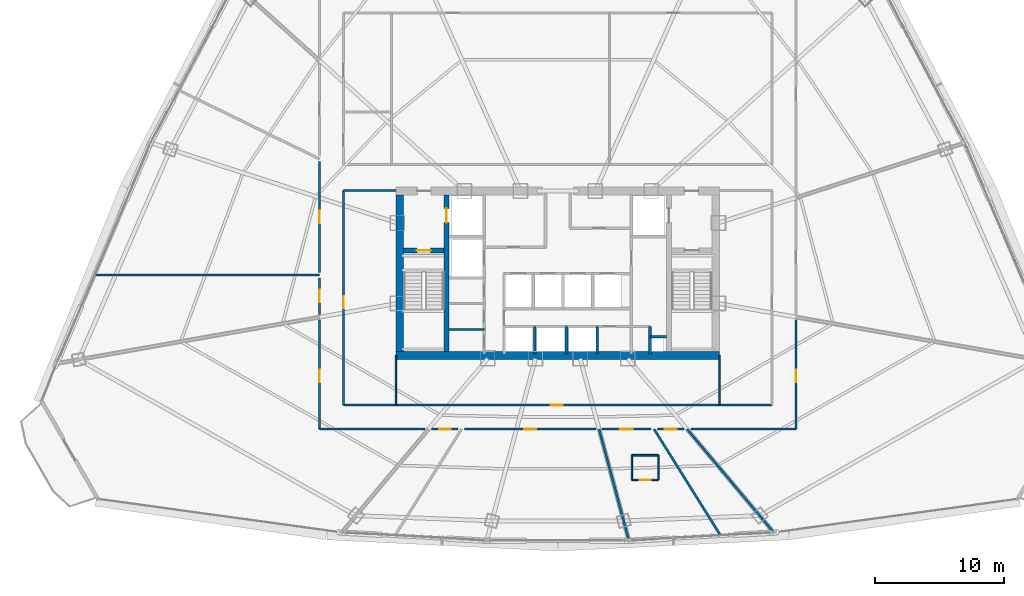
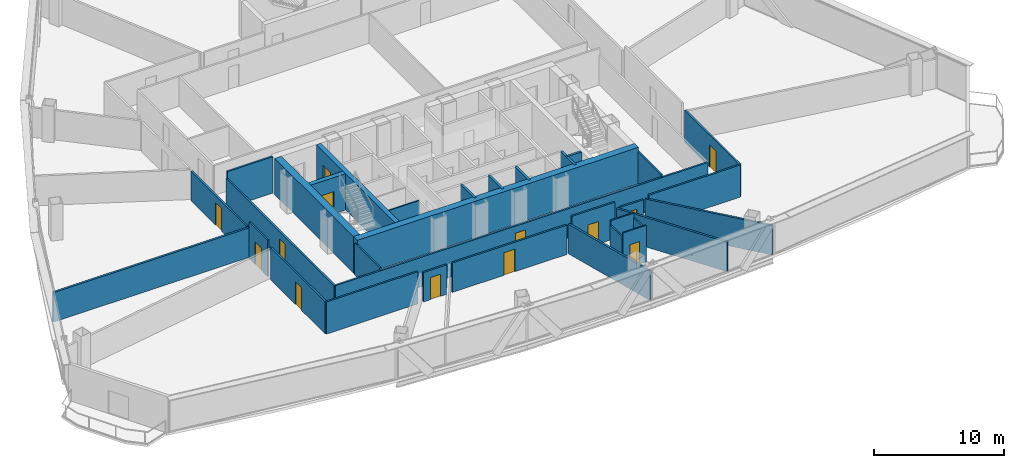
# One storey, part 32 of 39: 33 walls, 13 doors, 13 openings.
"""IFC4 building model written with IfcOpenShell, lengths in metres."""

import ifcopenshell
import ifcopenshell.guid

model = None  # the IFC model being written
_history = None  # IfcOwnerHistory: only IFC2X3 demands one
_inside = {}  # id of a spatial element -> (the spatial element, [elements in it])
_under = {}  # id of a project, library or spatial element -> (it, [spatial elements below it])
_declared = {}  # id of a project -> (the project, [libraries it declares])
_typed = {}  # id of a type object -> (the type object, [elements of that type])
_made_of = {}  # id of a material, layer set ... -> (it, [elements and type objects made of it])


def new_model(schema):
    """Start an empty IFC model of exactly this schema.

    Asked for "IFC4X3", IfcOpenShell would pick the latest addendum, in which some entities
    have other attributes; the version numbers below select the first issue.
    IFC2X3 requires an IfcOwnerHistory on every rooted entity: one is made here for all.
    """
    global model, _history
    if schema == "IFC4X3":
        model = ifcopenshell.file(schema_version=(4, 3, 0, 0))
    else:
        model = ifcopenshell.file(schema=schema)
    _inside.clear()
    _under.clear()
    _declared.clear()
    _typed.clear()
    _made_of.clear()
    _history = None
    if model.schema == "IFC2X3":
        org = make("IfcOrganization", Name="unknown")
        user = make(
            "IfcPersonAndOrganization",
            ThePerson=make("IfcPerson", FamilyName="unknown"),
            TheOrganization=org,
        )
        app = make(
            "IfcApplication",
            ApplicationDeveloper=org,
            Version="unknown",
            ApplicationFullName="unknown",
            ApplicationIdentifier="unknown",
        )
        _history = make(
            "IfcOwnerHistory",
            OwningUser=user,
            OwningApplication=app,
            ChangeAction="ADDED",
            CreationDate=0,
        )
    return model


def make(cls, **values):
    """One entity of the class cls with the attributes given. An attribute that is None is left unset."""
    return model.create_entity(
        cls, **{name: value for name, value in values.items() if value is not None}
    )


def rooted(cls, **values):
    """An entity with a GlobalId (a new one), such as an element, a storey or a relation."""
    return make(cls, GlobalId=ifcopenshell.guid.new(), OwnerHistory=_history, **values)


def si_unit(unit_type, name, prefix=None):
    """IfcSIUnit, for example si_unit("LENGTHUNIT", "METRE", prefix="MILLI")."""
    return make("IfcSIUnit", UnitType=unit_type, Prefix=prefix, Name=name)


def assignment(units):
    """IfcUnitAssignment: the units of a project."""
    return None if units is None else make("IfcUnitAssignment", Units=units)


def point(xyz):
    """IfcCartesianPoint."""
    return None if xyz is None else make("IfcCartesianPoint", Coordinates=xyz)


def direction(xyz):
    """IfcDirection."""
    return None if xyz is None else make("IfcDirection", DirectionRatios=xyz)


def frame(location, z_axis=None, x_axis=None):
    """IfcAxis2Placement3D, a coordinate frame: its origin and axes. An axis left out is left unset."""
    return make(
        "IfcAxis2Placement3D",
        Location=point(location),
        Axis=direction(z_axis),
        RefDirection=direction(x_axis),
    )


def frame_2d(location, x_axis=None):
    """IfcAxis2Placement2D, a coordinate frame in the plane: its origin and x axis."""
    return make(
        "IfcAxis2Placement2D", Location=point(location), RefDirection=direction(x_axis)
    )


def origin():
    """The frame at (0, 0, 0) with its axes left unset."""
    return frame((0.0, 0.0, 0.0))


def origin_with_axes():
    """The frame at (0, 0, 0) with the z axis (0, 0, 1) and the x axis (1, 0, 0) written out."""
    return frame((0.0, 0.0, 0.0), z_axis=(0.0, 0.0, 1.0), x_axis=(1.0, 0.0, 0.0))


def place(relative_to, where):
    """IfcLocalPlacement: puts the frame where relative to a parent placement (None: the world)."""
    return make(
        "IfcLocalPlacement", PlacementRelTo=relative_to, RelativePlacement=where
    )


def context(
    kind, dimensions, precision=None, world=None, true_north=None, identifier=None
):
    """IfcGeometricRepresentationContext, for example the 3D "Model" context."""
    return make(
        "IfcGeometricRepresentationContext",
        ContextIdentifier=identifier,
        ContextType=kind,
        CoordinateSpaceDimension=dimensions,
        Precision=precision,
        WorldCoordinateSystem=world,
        TrueNorth=true_north,
    )


def subcontext(parent, identifier, kind, view, scale=None):
    """IfcGeometricRepresentationSubContext, for example "Body" below "Model"."""
    return make(
        "IfcGeometricRepresentationSubContext",
        ContextIdentifier=identifier,
        ContextType=kind,
        ParentContext=parent,
        TargetScale=scale,
        TargetView=view,
    )


def project(units=None, contexts=None):
    """IfcProject with its units and contexts."""
    return rooted(
        "IfcProject",
        Name="project",
        RepresentationContexts=contexts,
        UnitsInContext=assignment(units),
    )


def spatial(cls, under=None, at=None, **own):
    """A site, building, storey or space (cls), placed at a placement, below another one or the project."""
    s = rooted(cls, ObjectPlacement=at, **own)
    if under is not None:
        _under.setdefault(under.id(), (under, []))[1].append(s)
    return s


def profile(cls, at=None, kind="AREA", **sizes):
    """A parametric profile (cls). Its sizes go by their IFC names, for example OverallWidth=200.0."""
    return make(cls, ProfileType=kind, Position=at, **sizes)


def rectangle(**sizes):
    """IfcRectangleProfileDef."""
    return profile("IfcRectangleProfileDef", **sizes)


def extrude(swept, where, along, depth):
    """IfcExtrudedAreaSolid: the profile swept, set in the frame where, extruded along a direction by depth."""
    return make(
        "IfcExtrudedAreaSolid",
        SweptArea=swept,
        Position=where,
        ExtrudedDirection=direction(along),
        Depth=depth,
    )


def shape(context_of_items, identifier, shape_type, items):
    """IfcShapeRepresentation: the items that make up one representation, for example the "Body"."""
    return make(
        "IfcShapeRepresentation",
        ContextOfItems=context_of_items,
        RepresentationIdentifier=identifier,
        RepresentationType=shape_type,
        Items=items,
    )


def source(mapping_origin, context_of_items, identifier, shape_type, items):
    """IfcRepresentationMap: a shape defined once, which mapped items show again and again."""
    return make(
        "IfcRepresentationMap",
        MappingOrigin=mapping_origin,
        MappedRepresentation=shape(context_of_items, identifier, shape_type, items),
    )


def transform(
    local_origin,
    x_axis=None,
    y_axis=None,
    z_axis=None,
    scale=None,
    scale2=None,
    scale3=None,
    uniform=True,
):
    """IfcCartesianTransformationOperator3D, or its non-uniform kind. x_axis, y_axis, z_axis: its Axis1, 2, 3."""
    if uniform:
        return make(
            "IfcCartesianTransformationOperator3D",
            Axis1=direction(x_axis),
            Axis2=direction(y_axis),
            LocalOrigin=point(local_origin),
            Scale=scale,
            Axis3=direction(z_axis),
        )
    return make(
        "IfcCartesianTransformationOperator3DnonUniform",
        Axis1=direction(x_axis),
        Axis2=direction(y_axis),
        LocalOrigin=point(local_origin),
        Scale=scale,
        Axis3=direction(z_axis),
        Scale2=scale2,
        Scale3=scale3,
    )


def mapped(mapping_source, mapping_target):
    """IfcMappedItem: shows the shape of a source again, moved by a transform."""
    return make(
        "IfcMappedItem", MappingSource=mapping_source, MappingTarget=mapping_target
    )


def material(Name=None, Category=None):
    """IfcMaterial."""
    return make("IfcMaterial", Name=Name, Category=Category)


def layer(
    of_material, thickness, ventilated=None, Name=None, Category=None, Priority=None
):
    """IfcMaterialLayer: one layer of a wall or slab, of a material (None: an air gap)."""
    return make(
        "IfcMaterialLayer",
        Material=of_material,
        LayerThickness=thickness,
        IsVentilated=ventilated,
        Name=Name,
        Category=Category,
        Priority=Priority,
    )


def layer_set(layers, Name=None):
    """IfcMaterialLayerSet."""
    return make("IfcMaterialLayerSet", MaterialLayers=layers, LayerSetName=Name)


def made_of(thing, what):
    """Note that an element or type object is made of a material, layer set ...; save() writes the relation."""
    if what is not None:
        _made_of.setdefault(what.id(), (what, []))[1].append(thing)
    return thing


def type_object(cls, material=None, **own):
    """A type object (cls), such as IfcWallType, which elements share."""
    return made_of(rooted(cls, **own), material)


def element(
    cls,
    number,
    at=None,
    inside=None,
    cuts=None,
    type_object=None,
    material=None,
    context=None,
    identifier="Body",
    shape_type=None,
    held_by="IfcProductDefinitionShape",
    body=None,
    shapes=None,
    **own,
):
    """One element of the class cls, such as IfcWall. Its Tag is "e" and its number.

    at: its placement. inside: the storey or other place that contains it. cuts: it is an
    opening in that element (IfcRelVoidsElement). A single representation is given by context,
    identifier, shape_type and body (its items); several are given by shapes. held_by: the class
    of the entity that holds the representations. save() writes the other relations.
    """
    e = rooted(cls, Tag="e%d" % number, ObjectPlacement=at, **own)
    if body is not None:
        shapes = [shape(context, identifier, shape_type, body)]
    if shapes is not None:
        e.Representation = make(held_by, Representations=shapes)
    if inside is not None:
        _inside.setdefault(inside.id(), (inside, []))[1].append(e)
    if cuts is not None:
        rooted(
            "IfcRelVoidsElement", RelatingBuildingElement=cuts, RelatedOpeningElement=e
        )
    if type_object is not None:
        _typed.setdefault(type_object.id(), (type_object, []))[1].append(e)
    return made_of(e, material)


def fill(opening, filler):
    """IfcRelFillsElement: the door or window that sits in an opening."""
    return rooted(
        "IfcRelFillsElement",
        RelatingOpeningElement=opening,
        RelatedBuildingElement=filler,
    )


def aggregate(whole, parts):
    """IfcRelAggregates: a whole, such as a stair, and the parts it consists of."""
    return rooted("IfcRelAggregates", RelatingObject=whole, RelatedObjects=parts)


def save(model, path):
    """Write the relations noted so far, then the file.

    IfcRelAggregates (storeys below a building ...), IfcRelContainedInSpatialStructure (elements
    in a storey), IfcRelDefinesByType, IfcRelAssociatesMaterial and IfcRelDeclares: one each for
    every whole, place, type object, material and project.
    """
    for whole, parts in _under.values():
        aggregate(whole, parts)
    for where, things in _inside.values():
        rooted(
            "IfcRelContainedInSpatialStructure",
            RelatedElements=things,
            RelatingStructure=where,
        )
    for kind, things in _typed.values():
        rooted("IfcRelDefinesByType", RelatedObjects=things, RelatingType=kind)
    for what, things in _made_of.values():
        rooted("IfcRelAssociatesMaterial", RelatedObjects=things, RelatingMaterial=what)
    for by, libraries in _declared.values():
        rooted("IfcRelDeclares", RelatingContext=by, RelatedDefinitions=libraries)
    model.write(path)


model = new_model("IFC4")

# Units and contexts
model_context = context("Model", 3, precision=1e-05, world=origin(), true_north=direction((0.0, 1.0)))
body_context = subcontext(model_context, "Body", "Model", "MODEL_VIEW")
ifc_project = project(units=[si_unit("LENGTHUNIT", "METRE"), si_unit("AREAUNIT", "SQUARE_METRE"), si_unit("VOLUMEUNIT", "CUBIC_METRE"), si_unit("PLANEANGLEUNIT", "RADIAN"), si_unit("MASSUNIT", "GRAM", prefix="KILO"), si_unit("THERMODYNAMICTEMPERATUREUNIT", "KELVIN"), si_unit("POWERUNIT", "WATT")], contexts=[model_context])

# Site, building, storey
site_placement = place(None, origin())
site = spatial("IfcSite", under=ifc_project, at=site_placement, CompositionType="ELEMENT")
building_placement = place(site_placement, origin())
building = spatial("IfcBuilding", under=site, at=building_placement, Name="Yunzhuo Pagoda Commons", CompositionType="ELEMENT")
storey_placement = place(building_placement, frame((0.0, 0.0, 140.8701171875)))
storey = spatial("IfcBuildingStorey", under=building, at=storey_placement, Name="L35", CompositionType="ELEMENT", Elevation=140.8701171875)

# Walls
ifc_material_1 = material(Name="Concrete C60", Category="concrete")
ifc_layer_1 = layer(ifc_material_1, 0.60009765625)
ifc_layer_set_1 = layer_set([ifc_layer_1], Name="Concrete C60")
wall_type_1 = type_object("IfcWallType", Name="W-C02 Mid Core Shear Wall 600", PredefinedType="SHEAR", material=ifc_layer_set_1)
wall_1_placement = place(storey_placement, frame((35.5, 27.5, 0.0), z_axis=(0.0, 0.0, 1.0), x_axis=(1.0, 0.0, 0.0)))
element("IfcWall", 1, at=wall_1_placement, inside=storey, type_object=wall_type_1, Name="L35 core shear wall S", PredefinedType="SHEAR", context=body_context, shape_type="SweptSolid", body=[
    extrude(rectangle(XDim=25.0, YDim=0.60009765625, at=frame_2d((12.5, 0.0))), origin(), (0.0, 0.0, 1.0), 3.419921875),
])
wall_2_placement = place(storey_placement, frame((35.800048828125, 27.800048828125, 0.0), z_axis=(0.0, 0.0, 1.0), x_axis=(0.0, 1.0, 0.0)))
element("IfcWall", 2, at=wall_2_placement, inside=storey, type_object=wall_type_1, Name="L35 core shear wall W", PredefinedType="SHEAR", context=body_context, shape_type="SweptSolid", body=[
    extrude(rectangle(XDim=12.099853515625, YDim=0.60009765625, at=frame_2d((6.0498046875, 0.0))), origin(), (0.0, 0.0, 1.0), 3.419921875),
])

# Wall, opening, door
ifc_material_2 = material(Name="Gypsum plasterboard on acoustic stud")
ifc_layer_2 = layer(ifc_material_2, 0.155029296875)
ifc_layer_set_2 = layer_set([ifc_layer_2], Name="Gypsum plasterboard on acoustic stud")
wall_type_2 = type_object("IfcWallType", Name="W-COR2 Mid-Zone Rated Corridor Wall 155", PredefinedType="PARTITIONING", material=ifc_layer_set_2)
wall_3_placement = place(storey_placement, frame((31.449951171875, 23.64990234375, 0.0), z_axis=(0.0, 0.0, 1.0), x_axis=(0.0, 1.0, 0.0)))
wall_3 = element("IfcWall", 3, at=wall_3_placement, inside=storey, type_object=wall_type_2, Name="L35 interior wall IW-L35-SFLW", PredefinedType="PARTITIONING", context=body_context, shape_type="SweptSolid", body=[
    extrude(rectangle(XDim=16.60009765625, YDim=0.155029296875, at=frame_2d((8.300048828125, 0.0))), origin(), (0.0, 0.0, 1.0), 2.769775390625),
])
opening_1_placement = place(wall_3_placement, frame((7.5, 0.0, 0.0)))
opening_1 = element("IfcOpeningElement", 4, at=opening_1_placement, cuts=wall_3, Name="Opening D-12", PredefinedType="OPENING", context=body_context, shape_type="SweptSolid", body=[
    extrude(rectangle(XDim=0.89990234375, YDim=2.080078125, at=frame_2d((0.449951171875, 1.0400390625))), frame((0.0, 0.08740234375, 0.0), z_axis=(0.0, -1.0, 0.0), x_axis=(1.0, 0.0, 0.0)), (0.0, 0.0, 1.0), 0.175048828125),
])
ifc_material_3 = material(Name="Powder-coated aluminium and timber acoustic leaf", Category="wood")
door_type_1 = type_object("IfcDoorType", Name="D-12 Quiet Study Interior Door 900x2080", OperationType="NOTDEFINED", PredefinedType="DOOR", material=ifc_material_3)
shared_shape_1 = source(origin(), body_context, "Body", "SweptSolid", [
    extrude(rectangle(XDim=0.89990234375, YDim=2.080078125, at=frame_2d((0.449951171875, 1.0400390625))), frame((0.0, 0.02490234375, 0.0), z_axis=(0.0, -1.0, 0.0), x_axis=(1.0, 0.0, 0.0)), (0.0, 0.0, 1.0), 0.050048828125),
])
door_1_placement = place(opening_1_placement, origin_with_axes())
door_1 = element("IfcDoor", 5, at=door_1_placement, inside=storey, type_object=door_type_1, Name="L35 west study workroom door", OperationType="SINGLE_SWING_LEFT", OverallHeight=2.080078125, OverallWidth=0.89990234375, PredefinedType="DOOR", context=body_context, shape_type="MappedRepresentation", body=[
    mapped(shared_shape_1, transform((0.0, 0.0, 0.0), scale=1.0)),
])
fill(opening_1, door_1)

wall_4_placement = place(storey_placement, frame((31.449951171875, 23.64990234375, 0.0), z_axis=(0.0, 0.0, 1.0), x_axis=(1.0, 0.0, 0.0)))
wall_4 = element("IfcWall", 6, at=wall_4_placement, inside=storey, type_object=wall_type_2, Name="L35 interior wall IW-L35-SFLS", PredefinedType="PARTITIONING", context=body_context, shape_type="SweptSolid", body=[
    extrude(rectangle(XDim=33.10009765625, YDim=0.155029296875, at=frame_2d((16.550048828125, 0.0))), origin(), (0.0, 0.0, 1.0), 2.769775390625),
])
opening_2_placement = place(wall_4_placement, frame((16.0, 0.0, 0.0)))
opening_2 = element("IfcOpeningElement", 7, at=opening_2_placement, cuts=wall_4, Name="Opening D-04", PredefinedType="OPENING", context=body_context, shape_type="SweptSolid", body=[
    extrude(rectangle(XDim=0.919921875, YDim=2.10009765625, at=frame_2d((0.4599609375, 1.050048828125))), frame((0.0, 0.08740234375, 0.0), z_axis=(0.0, -1.0, 0.0), x_axis=(1.0, 0.0, 0.0)), (0.0, 0.0, 1.0), 0.175048828125),
])
door_type_2 = type_object("IfcDoorType", Name="D-04 Bedroom & Study Interior Door 920x2100", OperationType="NOTDEFINED", PredefinedType="DOOR", material=ifc_material_3)
shared_shape_2 = source(origin(), body_context, "Body", "SweptSolid", [
    extrude(rectangle(XDim=0.919921875, YDim=2.10009765625, at=frame_2d((0.4599609375, 1.050048828125))), frame((0.0, 0.02490234375, 0.0), z_axis=(0.0, -1.0, 0.0), x_axis=(1.0, 0.0, 0.0)), (0.0, 0.0, 1.0), 0.050048828125),
])
door_2_placement = place(opening_2_placement, frame((0.919921875, 0.0, 0.0), z_axis=(0.0, 0.0, 1.0), x_axis=(-1.0, 0.0, 0.0)))
door_2 = element("IfcDoor", 8, at=door_2_placement, inside=storey, type_object=door_type_2, Name="L35 south seminar room door", OperationType="SINGLE_SWING_RIGHT", OverallHeight=2.10009765625, OverallWidth=0.919921875, PredefinedType="DOOR", context=body_context, shape_type="MappedRepresentation", body=[
    mapped(shared_shape_2, transform((0.0, 0.0, 0.0), scale=1.0)),
])
fill(opening_2, door_2)

# Wall
wall_5_placement = place(storey_placement, frame((31.449951171875, 40.25, 0.0), z_axis=(0.0, 0.0, 1.0), x_axis=(1.0, 0.0, 0.0)))
element("IfcWall", 9, at=wall_5_placement, inside=storey, type_object=wall_type_2, Name="L35 interior wall IW-L35-SFLNW", PredefinedType="PARTITIONING", context=body_context, shape_type="SweptSolid", body=[
    extrude(rectangle(XDim=4.050048828125, YDim=0.155029296875, at=frame_2d((2.02490234375, 0.0))), origin(), (0.0, 0.0, 1.0), 3.419921875),
])

# Wall, opening, door
wall_6_placement = place(storey_placement, frame((29.60009765625, 21.800048828125, 0.0), z_axis=(0.0, 0.0, 1.0), x_axis=(0.0, 1.0, 0.0)))
wall_6 = element("IfcWall", 10, at=wall_6_placement, inside=storey, type_object=wall_type_2, Name="L35 interior wall IW-L35-CWL01", PredefinedType="PARTITIONING", context=body_context, shape_type="SweptSolid", body=[
    extrude(rectangle(XDim=8.43212890625, YDim=0.155029296875, at=frame_2d((4.216064453125, 0.0))), origin(), (0.0, 0.0, 1.0), 3.019775390625),
])
opening_3_placement = place(wall_6_placement, frame((3.622802734375, 0.0, 0.0)))
opening_3 = element("IfcOpeningElement", 11, at=opening_3_placement, cuts=wall_6, Name="Opening D-07", PredefinedType="OPENING", context=body_context, shape_type="SweptSolid", body=[
    extrude(rectangle(XDim=0.9599609375, YDim=2.1201171875, at=frame_2d((0.47998046875, 1.06005859375))), frame((0.0, 0.08740234375, 0.0), z_axis=(0.0, -1.0, 0.0), x_axis=(1.0, 0.0, 0.0)), (0.0, 0.0, 1.0), 0.175048828125),
])
ifc_material_4 = material(Name="Galvanized fire-resisting metal leaf")
door_type_3 = type_object("IfcDoorType", Name="D-07 Mid-Zone Suite Entrance Fire Door 960x2120", OperationType="NOTDEFINED", PredefinedType="DOOR", material=ifc_material_4)
shared_shape_3 = source(origin(), body_context, "Body", "SweptSolid", [
    extrude(rectangle(XDim=0.9599609375, YDim=2.1201171875, at=frame_2d((0.47998046875, 1.06005859375))), frame((0.0, 0.02490234375, 0.0), z_axis=(0.0, -1.0, 0.0), x_axis=(1.0, 0.0, 0.0)), (0.0, 0.0, 1.0), 0.050048828125),
])
door_3_placement = place(opening_3_placement, origin_with_axes())
door_3 = element("IfcDoor", 12, at=door_3_placement, inside=storey, type_object=door_type_3, Name="L35 unit 09 entrance door", OperationType="SINGLE_SWING_RIGHT", OverallHeight=2.1201171875, OverallWidth=0.9599609375, PredefinedType="DOOR", context=body_context, shape_type="MappedRepresentation", body=[
    mapped(shared_shape_3, transform((0.0, 0.0, 0.0), scale=1.0)),
])
fill(opening_3, door_3)

wall_7_placement = place(storey_placement, frame((29.60009765625, 30.67529296875, 0.0), z_axis=(0.0, 0.0, 1.0), x_axis=(0.0, 1.0, 0.0)))
wall_7 = element("IfcWall", 13, at=wall_7_placement, inside=storey, type_object=wall_type_2, Name="L35 interior wall IW-L35-CWL02", PredefinedType="PARTITIONING", context=body_context, shape_type="SweptSolid", body=[
    extrude(rectangle(XDim=2.8046875, YDim=0.155029296875, at=frame_2d((1.40234375, 0.0))), origin(), (0.0, 0.0, 1.0), 3.419921875),
])
opening_4_placement = place(wall_7_placement, frame((0.927490234375, 0.0, 0.0)))
opening_4 = element("IfcOpeningElement", 14, at=opening_4_placement, cuts=wall_7, Name="Opening D-07", PredefinedType="OPENING", context=body_context, shape_type="SweptSolid", body=[
    extrude(rectangle(XDim=0.9599609375, YDim=2.1201171875, at=frame_2d((0.47998046875, 1.06005859375))), frame((0.0, 0.08740234375, 0.0), z_axis=(0.0, -1.0, 0.0), x_axis=(1.0, 0.0, 0.0)), (0.0, 0.0, 1.0), 0.175048828125),
])
door_4_placement = place(opening_4_placement, origin_with_axes())
door_4 = element("IfcDoor", 15, at=door_4_placement, inside=storey, type_object=door_type_3, Name="L35 unit 08 entrance door", OperationType="SINGLE_SWING_LEFT", OverallHeight=2.1201171875, OverallWidth=0.9599609375, PredefinedType="DOOR", context=body_context, shape_type="MappedRepresentation", body=[
    mapped(shared_shape_3, transform((0.0, 0.0, 0.0), scale=1.0)),
])
fill(opening_4, door_4)

wall_8_placement = place(storey_placement, frame((29.60009765625, 33.919921875, 0.0), z_axis=(0.0, 0.0, 1.0), x_axis=(0.0, 1.0, 0.0)))
wall_8 = element("IfcWall", 16, at=wall_8_placement, inside=storey, type_object=wall_type_2, Name="L35 interior wall IW-L35-CWL03", PredefinedType="PARTITIONING", context=body_context, shape_type="SweptSolid", body=[
    extrude(rectangle(XDim=8.53466796875, YDim=0.155029296875, at=frame_2d((4.267333984375, 0.0))), origin(), (0.0, 0.0, 1.0), 2.769775390625),
])
opening_5_placement = place(wall_8_placement, frame((3.792236328125, 0.0, 0.0)))
opening_5 = element("IfcOpeningElement", 17, at=opening_5_placement, cuts=wall_8, Name="Opening D-07", PredefinedType="OPENING", context=body_context, shape_type="SweptSolid", body=[
    extrude(rectangle(XDim=0.9599609375, YDim=2.1201171875, at=frame_2d((0.47998046875, 1.06005859375))), frame((0.0, 0.08740234375, 0.0), z_axis=(0.0, -1.0, 0.0), x_axis=(1.0, 0.0, 0.0)), (0.0, 0.0, 1.0), 0.175048828125),
])
door_5_placement = place(opening_5_placement, origin_with_axes())
door_5 = element("IfcDoor", 18, at=door_5_placement, inside=storey, type_object=door_type_3, Name="L35 Resident Co-Living Commons Hall door", OperationType="SINGLE_SWING_RIGHT", OverallHeight=2.1201171875, OverallWidth=0.9599609375, PredefinedType="DOOR", context=body_context, shape_type="MappedRepresentation", body=[
    mapped(shared_shape_3, transform((0.0, 0.0, 0.0), scale=1.0)),
])
fill(opening_5, door_5)

wall_9_placement = place(storey_placement, frame((66.39990234375, 30.232177734375, 0.0), z_axis=(0.0, 0.0, 1.0), x_axis=(0.0, -1.0, 0.0)))
wall_9 = element("IfcWall", 19, at=wall_9_placement, inside=storey, type_object=wall_type_2, Name="L35 interior wall IW-L35-CWL12", PredefinedType="PARTITIONING", context=body_context, shape_type="SweptSolid", body=[
    extrude(rectangle(XDim=8.43212890625, YDim=0.155029296875, at=frame_2d((4.216064453125, 0.0))), origin(), (0.0, 0.0, 1.0), 3.019775390625),
])
opening_6_placement = place(wall_9_placement, frame((3.859375, 0.0, 0.0)))
opening_6 = element("IfcOpeningElement", 20, at=opening_6_placement, cuts=wall_9, Name="Opening D-07", PredefinedType="OPENING", context=body_context, shape_type="SweptSolid", body=[
    extrude(rectangle(XDim=0.9599609375, YDim=2.1201171875, at=frame_2d((0.47998046875, 1.06005859375))), frame((0.0, 0.08740234375, 0.0), z_axis=(0.0, -1.0, 0.0), x_axis=(1.0, 0.0, 0.0)), (0.0, 0.0, 1.0), 0.175048828125),
])
door_6_placement = place(opening_6_placement, origin_with_axes())
door_6 = element("IfcDoor", 21, at=door_6_placement, inside=storey, type_object=door_type_3, Name="L35 unit 14 entrance door", OperationType="SINGLE_SWING_LEFT", OverallHeight=2.1201171875, OverallWidth=0.9599609375, PredefinedType="DOOR", context=body_context, shape_type="MappedRepresentation", body=[
    mapped(shared_shape_3, transform((0.0, 0.0, 0.0), scale=1.0)),
])
fill(opening_6, door_6)

# Wall
wall_10_placement = place(storey_placement, frame((66.39990234375, 21.800048828125, 0.0), z_axis=(0.0, 0.0, 1.0), x_axis=(-1.0, 0.0, 0.0)))
element("IfcWall", 22, at=wall_10_placement, inside=storey, type_object=wall_type_2, Name="L35 interior wall IW-L35-CWL13", PredefinedType="PARTITIONING", context=body_context, shape_type="SweptSolid", body=[
    extrude(rectangle(XDim=8.12744140625, YDim=0.155029296875, at=frame_2d((4.063720703125, 0.0))), origin(), (0.0, 0.0, 1.0), 3.019775390625),
])

# Wall, opening, door
wall_11_placement = place(storey_placement, frame((57.765380859375, 21.800048828125, 0.0), z_axis=(0.0, 0.0, 1.0), x_axis=(-1.0, 0.0, 0.0)))
wall_11 = element("IfcWall", 23, at=wall_11_placement, inside=storey, type_object=wall_type_2, Name="L35 interior wall IW-L35-CWL14", PredefinedType="PARTITIONING", context=body_context, shape_type="SweptSolid", body=[
    extrude(rectangle(XDim=2.070068359375, YDim=0.155029296875, at=frame_2d((1.03515625, 0.0))), origin(), (0.0, 0.0, 1.0), 2.769775390625),
])
opening_7_placement = place(wall_11_placement, frame((0.5947265625, 0.0, 0.0)))
opening_7 = element("IfcOpeningElement", 24, at=opening_7_placement, cuts=wall_11, Name="Opening D-12", PredefinedType="OPENING", context=body_context, shape_type="SweptSolid", body=[
    extrude(rectangle(XDim=0.89990234375, YDim=2.080078125, at=frame_2d((0.449951171875, 1.0400390625))), frame((0.0, 0.08740234375, 0.0), z_axis=(0.0, -1.0, 0.0), x_axis=(1.0, 0.0, 0.0)), (0.0, 0.0, 1.0), 0.175048828125),
])
door_7_placement = place(opening_7_placement, origin_with_axes())
door_7 = element("IfcDoor", 25, at=door_7_placement, inside=storey, type_object=door_type_1, Name="L35 study lounge 13 door", OperationType="SINGLE_SWING_RIGHT", OverallHeight=2.080078125, OverallWidth=0.89990234375, PredefinedType="DOOR", context=body_context, shape_type="MappedRepresentation", body=[
    mapped(shared_shape_1, transform((0.0, 0.0, 0.0), scale=1.0)),
])
fill(opening_7, door_7)

wall_12_placement = place(storey_placement, frame((55.216064453125, 21.800048828125, 0.0), z_axis=(0.0, 0.0, 1.0), x_axis=(-1.0, 0.0, 0.0)))
wall_12 = element("IfcWall", 26, at=wall_12_placement, inside=storey, type_object=wall_type_2, Name="L35 interior wall IW-L35-CWL15", PredefinedType="PARTITIONING", context=body_context, shape_type="SweptSolid", body=[
    extrude(rectangle(XDim=3.799560546875, YDim=0.155029296875, at=frame_2d((1.89990234375, 0.0))), origin(), (0.0, 0.0, 1.0), 3.419921875),
])
opening_8_placement = place(wall_12_placement, frame((1.4287109375, 0.0, 0.0)))
opening_8 = element("IfcOpeningElement", 27, at=opening_8_placement, cuts=wall_12, Name="Opening D-07", PredefinedType="OPENING", context=body_context, shape_type="SweptSolid", body=[
    extrude(rectangle(XDim=0.9599609375, YDim=2.1201171875, at=frame_2d((0.47998046875, 1.06005859375))), frame((0.0, 0.08740234375, 0.0), z_axis=(0.0, -1.0, 0.0), x_axis=(1.0, 0.0, 0.0)), (0.0, 0.0, 1.0), 0.175048828125),
])
door_8_placement = place(opening_8_placement, origin_with_axes())
door_8 = element("IfcDoor", 28, at=door_8_placement, inside=storey, type_object=door_type_3, Name="L35 unit 12 entrance door", OperationType="SINGLE_SWING_LEFT", OverallHeight=2.1201171875, OverallWidth=0.9599609375, PredefinedType="DOOR", context=body_context, shape_type="MappedRepresentation", body=[
    mapped(shared_shape_3, transform((0.0, 0.0, 0.0), scale=1.0)),
])
fill(opening_8, door_8)

wall_13_placement = place(storey_placement, frame((50.96875, 21.800048828125, 0.0), z_axis=(0.0, 0.0, 1.0), x_axis=(-1.0, 0.0, 0.0)))
wall_13 = element("IfcWall", 29, at=wall_13_placement, inside=storey, type_object=wall_type_2, Name="L35 interior wall IW-L35-CWL16", PredefinedType="PARTITIONING", context=body_context, shape_type="SweptSolid", body=[
    extrude(rectangle(XDim=10.184814453125, YDim=0.155029296875, at=frame_2d((5.09228515625, 0.0))), origin(), (0.0, 0.0, 1.0), 2.769775390625),
])
opening_9_placement = place(wall_13_placement, frame((4.617431640625, 0.0, 0.0)))
opening_9 = element("IfcOpeningElement", 30, at=opening_9_placement, cuts=wall_13, Name="Opening D-07", PredefinedType="OPENING", context=body_context, shape_type="SweptSolid", body=[
    extrude(rectangle(XDim=0.9599609375, YDim=2.1201171875, at=frame_2d((0.47998046875, 1.06005859375))), frame((0.0, 0.08740234375, 0.0), z_axis=(0.0, -1.0, 0.0), x_axis=(1.0, 0.0, 0.0)), (0.0, 0.0, 1.0), 0.175048828125),
])
door_9_placement = place(opening_9_placement, origin_with_axes())
door_9 = element("IfcDoor", 31, at=door_9_placement, inside=storey, type_object=door_type_3, Name="L35 Academic Reading Commons 2 door", OperationType="SINGLE_SWING_RIGHT", OverallHeight=2.1201171875, OverallWidth=0.9599609375, PredefinedType="DOOR", context=body_context, shape_type="MappedRepresentation", body=[
    mapped(shared_shape_3, transform((0.0, 0.0, 0.0), scale=1.0)),
])
fill(opening_9, door_9)

wall_14_placement = place(storey_placement, frame((40.3046875, 21.800048828125, 0.0), z_axis=(0.0, 0.0, 1.0), x_axis=(-1.0, 0.0, 0.0)))
wall_14 = element("IfcWall", 32, at=wall_14_placement, inside=storey, type_object=wall_type_2, Name="L35 interior wall IW-L35-CWL17", PredefinedType="PARTITIONING", context=body_context, shape_type="SweptSolid", body=[
    extrude(rectangle(XDim=2.070068359375, YDim=0.155029296875, at=frame_2d((1.03515625, 0.0))), origin(), (0.0, 0.0, 1.0), 2.769775390625),
])
opening_10_placement = place(wall_14_placement, frame((0.555419921875, 0.0, 0.0)))
opening_10 = element("IfcOpeningElement", 33, at=opening_10_placement, cuts=wall_14, Name="Opening D-12", PredefinedType="OPENING", context=body_context, shape_type="SweptSolid", body=[
    extrude(rectangle(XDim=0.89990234375, YDim=2.080078125, at=frame_2d((0.449951171875, 1.0400390625))), frame((0.0, 0.08740234375, 0.0), z_axis=(0.0, -1.0, 0.0), x_axis=(1.0, 0.0, 0.0)), (0.0, 0.0, 1.0), 0.175048828125),
])
door_10_placement = place(opening_10_placement, origin_with_axes())
door_10 = element("IfcDoor", 34, at=door_10_placement, inside=storey, type_object=door_type_1, Name="L35 study lounge 10 door", OperationType="SINGLE_SWING_LEFT", OverallHeight=2.080078125, OverallWidth=0.89990234375, PredefinedType="DOOR", context=body_context, shape_type="MappedRepresentation", body=[
    mapped(shared_shape_1, transform((0.0, 0.0, 0.0), scale=1.0)),
])
fill(opening_10, door_10)

# Walls
wall_15_placement = place(storey_placement, frame((37.7275390625, 21.800048828125, 0.0), z_axis=(0.0, 0.0, 1.0), x_axis=(-1.0, 0.0, 0.0)))
element("IfcWall", 35, at=wall_15_placement, inside=storey, type_object=wall_type_2, Name="L35 interior wall IW-L35-CWL18", PredefinedType="PARTITIONING", context=body_context, shape_type="SweptSolid", body=[
    extrude(rectangle(XDim=8.12744140625, YDim=0.155029296875, at=frame_2d((4.063720703125, 0.0))), origin(), (0.0, 0.0, 1.0), 3.019775390625),
])
ifc_layer_3 = layer(ifc_material_2, 0.1201171875)
ifc_layer_set_3 = layer_set([ifc_layer_3], Name="Gypsum plasterboard on acoustic stud")
wall_type_3 = type_object("IfcWallType", Name="W-PRT1 Suite & Bathroom Partition 120", PredefinedType="PARTITIONING", material=ifc_layer_set_3)
wall_16_placement = place(storey_placement, frame((39.60009765625, 29.5, 0.0), z_axis=(0.0, 0.0, 1.0), x_axis=(1.0, 0.0, 0.0)))
element("IfcWall", 36, at=wall_16_placement, inside=storey, type_object=wall_type_3, Name="L35 interior wall IW-L35-CC1", PredefinedType="PARTITIONING", context=body_context, shape_type="SweptSolid", body=[
    extrude(rectangle(XDim=2.719970703125, YDim=0.1201171875, at=frame_2d((1.35986328125, 0.0))), origin(), (0.0, 0.0, 1.0), 3.419921875),
])
for number, where, z_axis, x_axis, name in (
    (37, (35.5, 23.64990234375, 0.0), (0.0, 0.0, 1.0), (0.0, 1.0, 0.0), "L35 interior wall IW-L35-SFLD1"),
    (38, (60.5, 23.64990234375, 0.0), (0.0, 0.0, 1.0), (0.0, 1.0, 0.0), "L35 interior wall IW-L35-SFLD2"),
):
    element("IfcWall", number, at=place(storey_placement, frame(where, z_axis=z_axis, x_axis=x_axis)), inside=storey, type_object=wall_type_3, Name=name, PredefinedType="PARTITIONING", context=body_context, shape_type="SweptSolid", body=[
        extrude(rectangle(XDim=3.85009765625, YDim=0.1201171875, at=frame_2d((1.925048828125, 0.0))), origin(), (0.0, 0.0, 1.0), 3.019775390625),
    ])

# Wall, opening, door
wall_17_placement = place(storey_placement, frame((53.714111328125, 17.889892578125, 0.0), z_axis=(0.0, 0.0, 1.0), x_axis=(1.0, 0.0, 0.0)))
wall_17 = element("IfcWall", 39, at=wall_17_placement, inside=storey, type_object=wall_type_3, Name="L35 interior wall IW-L35-B12S", PredefinedType="PARTITIONING", context=body_context, shape_type="SweptSolid", body=[
    extrude(rectangle(XDim=2.0498046875, YDim=0.1201171875, at=frame_2d((1.02490234375, 0.0))), origin(), (0.0, 0.0, 1.0), 3.419921875),
])
opening_11_placement = place(wall_17_placement, frame((0.60009765625, 0.0, 0.0)))
opening_11 = element("IfcOpeningElement", 40, at=opening_11_placement, cuts=wall_17, Name="Opening D-05", PredefinedType="OPENING", context=body_context, shape_type="SweptSolid", body=[
    extrude(rectangle(XDim=0.85009765625, YDim=2.10009765625, at=frame_2d((0.425048828125, 1.050048828125))), frame((0.0, 0.070068359375, 0.0), z_axis=(0.0, -1.0, 0.0), x_axis=(1.0, 0.0, 0.0)), (0.0, 0.0, 1.0), 0.14013671875),
])
door_type_4 = type_object("IfcDoorType", Name="D-05 En-Suite Bathroom Door 850x2100", OperationType="NOTDEFINED", PredefinedType="DOOR", material=ifc_material_3)
shared_shape_4 = source(origin(), body_context, "Body", "SweptSolid", [
    extrude(rectangle(XDim=0.85009765625, YDim=2.10009765625, at=frame_2d((0.425048828125, 1.050048828125))), frame((0.0, 0.02490234375, 0.0), z_axis=(0.0, -1.0, 0.0), x_axis=(1.0, 0.0, 0.0)), (0.0, 0.0, 1.0), 0.050048828125),
])
door_11_placement = place(opening_11_placement, frame((0.85009765625, 0.0, 0.0), z_axis=(0.0, 0.0, 1.0), x_axis=(-1.0, 0.0, 0.0)))
door_11 = element("IfcDoor", 41, at=door_11_placement, inside=storey, type_object=door_type_4, Name="L35 unit 12 bathroom door", OperationType="SINGLE_SWING_LEFT", OverallHeight=2.10009765625, OverallWidth=0.85009765625, PredefinedType="DOOR", context=body_context, shape_type="MappedRepresentation", body=[
    mapped(shared_shape_4, transform((0.0, 0.0, 0.0), scale=1.0)),
])
fill(opening_11, door_11)

# Walls
wall_18_placement = place(storey_placement, frame((55.763916015625, 17.889892578125, 0.0), z_axis=(0.0, 0.0, 1.0), x_axis=(0.0, 1.0, 0.0)))
element("IfcWall", 42, at=wall_18_placement, inside=storey, type_object=wall_type_3, Name="L35 interior wall IW-L35-B12E", PredefinedType="PARTITIONING", context=body_context, shape_type="SweptSolid", body=[
    extrude(rectangle(XDim=1.900146484375, YDim=0.1201171875, at=frame_2d((0.9501953125, 0.0))), origin(), (0.0, 0.0, 1.0), 3.019775390625),
])
wall_19_placement = place(storey_placement, frame((55.763916015625, 19.7900390625, 0.0), z_axis=(0.0, 0.0, 1.0), x_axis=(-1.0, 0.0, 0.0)))
element("IfcWall", 43, at=wall_19_placement, inside=storey, type_object=wall_type_3, Name="L35 interior wall IW-L35-B12N", PredefinedType="PARTITIONING", context=body_context, shape_type="SweptSolid", body=[
    extrude(rectangle(XDim=2.0498046875, YDim=0.1201171875, at=frame_2d((1.02490234375, 0.0))), origin(), (0.0, 0.0, 1.0), 3.419921875),
])
wall_20_placement = place(storey_placement, frame((53.714111328125, 19.7900390625, 0.0), z_axis=(0.0, 0.0, 1.0), x_axis=(0.0, -1.0, 0.0)))
element("IfcWall", 44, at=wall_20_placement, inside=storey, type_object=wall_type_3, Name="L35 interior wall IW-L35-B12W", PredefinedType="PARTITIONING", context=body_context, shape_type="SweptSolid", body=[
    extrude(rectangle(XDim=1.900146484375, YDim=0.1201171875, at=frame_2d((0.9501953125, 0.0))), origin(), (0.0, 0.0, 1.0), 3.019775390625),
])
ifc_layer_4 = layer(ifc_material_2, 0.175048828125)
ifc_layer_set_4 = layer_set([ifc_layer_4], Name="Gypsum plasterboard on acoustic stud")
wall_type_4 = type_object("IfcWallType", Name="W-PRT3 Mid-Zone Demising Wall 175", PredefinedType="PARTITIONING", material=ifc_layer_set_4)
wall_21_placement = place(storey_placement, frame((29.60009765625, 33.699951171875, 0.0), z_axis=(0.0, 0.0, 1.0), x_axis=(-1.0, 0.0, 0.0)))
element("IfcWall", 45, at=wall_21_placement, inside=storey, type_object=wall_type_4, Name="L35 interior wall IW-L35-RAD07", PredefinedType="PARTITIONING", context=body_context, shape_type="SweptSolid", body=[
    extrude(rectangle(XDim=17.403076171875, YDim=0.175048828125, at=frame_2d((8.70166015625, 0.0))), origin(), (0.0, 0.0, 1.0), 2.769775390625),
])
wall_22_placement = place(storey_placement, frame((51.188720703125, 21.800048828125, 0.0), z_axis=(0.0, 0.0, 1.0), x_axis=(0.258794890482, -0.965932298177, 0.0)))
element("IfcWall", 46, at=wall_22_placement, inside=storey, type_object=wall_type_4, Name="L35 interior wall IW-L35-RAD11", PredefinedType="PARTITIONING", context=body_context, shape_type="SweptSolid", body=[
    extrude(rectangle(XDim=8.92333984375, YDim=0.175048828125, at=frame_2d((4.461669921875, 0.0))), origin(), (0.0, 0.0, 1.0), 2.769775390625),
])
wall_23_placement = place(storey_placement, frame((55.435791015625, 21.800048828125, 0.0), z_axis=(0.0, 0.0, 1.0), x_axis=(0.529931002604, -0.848040761096, 0.0)))
element("IfcWall", 47, at=wall_23_placement, inside=storey, type_object=wall_type_4, Name="L35 interior wall IW-L35-RAD12", PredefinedType="PARTITIONING", context=body_context, shape_type="SweptSolid", body=[
    extrude(rectangle(XDim=9.69091796875, YDim=0.175048828125, at=frame_2d((4.845458984375, 0.0))), origin(), (0.0, 0.0, 1.0), 2.769775390625),
])
wall_24_placement = place(storey_placement, frame((57.9853515625, 21.800048828125, 0.0), z_axis=(0.0, 0.0, 1.0), x_axis=(0.642781677101, -0.76604942111, 0.0)))
element("IfcWall", 48, at=wall_24_placement, inside=storey, type_object=wall_type_4, Name="L35 interior wall IW-L35-RAD13", PredefinedType="PARTITIONING", context=body_context, shape_type="SweptSolid", body=[
    extrude(rectangle(XDim=10.423828125, YDim=0.175048828125, at=frame_2d((5.2119140625, 0.0))), origin(), (0.0, 0.0, 1.0), 2.769775390625),
])

# Wall, opening, door
ifc_layer_5 = layer(ifc_material_1, 0.39990234375)
ifc_layer_set_5 = layer_set([ifc_layer_5], Name="Concrete C60")
wall_type_5 = type_object("IfcWallType", Name="W-S01 Internal Core Shear Web 400", PredefinedType="SHEAR", material=ifc_layer_set_5)
wall_25_placement = place(storey_placement, frame((39.39990234375, 27.800048828125, 0.0), z_axis=(0.0, 0.0, 1.0), x_axis=(0.0, 1.0, 0.0)))
wall_25 = element("IfcWall", 49, at=wall_25_placement, inside=storey, type_object=wall_type_5, Name="L35 core shear wall WEBW", PredefinedType="SHEAR", context=body_context, shape_type="SweptSolid", body=[
    extrude(rectangle(XDim=12.099853515625, YDim=0.39990234375, at=frame_2d((6.0498046875, 0.0))), origin(), (0.0, 0.0, 1.0), 3.419921875),
])
opening_12_placement = place(wall_25_placement, frame((9.949951171875, 0.0, 0.0)))
opening_12 = element("IfcOpeningElement", 50, at=opening_12_placement, cuts=wall_25, Name="Opening LD-01", PredefinedType="OPENING", context=body_context, shape_type="SweptSolid", body=[
    extrude(rectangle(XDim=1.10009765625, YDim=2.10009765625, at=frame_2d((0.550048828125, 1.050048828125))), frame((0.0, 0.2099609375, 0.0), z_axis=(0.0, -1.0, 0.0), x_axis=(1.0, 0.0, 0.0)), (0.0, 0.0, 1.0), 0.419921875),
])
door_type_5 = type_object("IfcDoorType", Name="LD-01 Firefighting Lift Landing Door 1100x2100", OperationType="DOUBLE_DOOR_SLIDING", PredefinedType="DOOR", material=ifc_material_4)
shared_shape_5 = source(origin(), body_context, "Body", "SweptSolid", [
    extrude(rectangle(XDim=1.10009765625, YDim=2.10009765625, at=frame_2d((0.550048828125, 1.050048828125))), frame((0.0, 0.02490234375, 0.0), z_axis=(0.0, -1.0, 0.0), x_axis=(1.0, 0.0, 0.0)), (0.0, 0.0, 1.0), 0.050048828125),
])
door_12_placement = place(opening_12_placement, frame((1.10009765625, 0.0, 0.0), z_axis=(0.0, 0.0, 1.0), x_axis=(-1.0, 0.0, 0.0)))
door_12 = element("IfcDoor", 51, at=door_12_placement, inside=storey, type_object=door_type_5, Name="L35 Firefighting lift FL-1 landing door", OperationType="DOUBLE_DOOR_SLIDING", OverallHeight=2.10009765625, OverallWidth=1.10009765625, PredefinedType="DOOR", context=body_context, shape_type="MappedRepresentation", body=[
    mapped(shared_shape_5, transform((0.0, 0.0, 0.0), scale=1.0)),
])
fill(opening_12, door_12)

wall_26_placement = place(storey_placement, frame((36.10009765625, 35.60009765625, 0.0), z_axis=(0.0, 0.0, 1.0), x_axis=(1.0, 0.0, 0.0)))
wall_26 = element("IfcWall", 52, at=wall_26_placement, inside=storey, type_object=wall_type_5, Name="L35 core shear wall STW", PredefinedType="SHEAR", context=body_context, shape_type="SweptSolid", body=[
    extrude(rectangle(XDim=3.099853515625, YDim=0.39990234375, at=frame_2d((1.5498046875, 0.0))), origin(), (0.0, 0.0, 1.0), 3.419921875),
])
opening_13_placement = place(wall_26_placement, frame((1.02001953125, 0.0, 0.0)))
opening_13 = element("IfcOpeningElement", 53, at=opening_13_placement, cuts=wall_26, Name="Opening D-01", PredefinedType="OPENING", context=body_context, shape_type="SweptSolid", body=[
    extrude(rectangle(XDim=1.050048828125, YDim=2.10009765625, at=frame_2d((0.52490234375, 1.050048828125))), frame((0.0, 0.2099609375, 0.0), z_axis=(0.0, -1.0, 0.0), x_axis=(1.0, 0.0, 0.0)), (0.0, 0.0, 1.0), 0.419921875),
])
door_type_6 = type_object("IfcDoorType", Name="D-01 Smokeproof Stair Fire Door 1050x2100", OperationType="NOTDEFINED", PredefinedType="DOOR", material=ifc_material_4)
shared_shape_6 = source(origin(), body_context, "Body", "SweptSolid", [
    extrude(rectangle(XDim=1.050048828125, YDim=2.10009765625, at=frame_2d((0.52490234375, 1.050048828125))), frame((0.0, 0.02490234375, 0.0), z_axis=(0.0, -1.0, 0.0), x_axis=(1.0, 0.0, 0.0)), (0.0, 0.0, 1.0), 0.050048828125),
])
door_13_placement = place(opening_13_placement, frame((1.050048828125, 0.0, 0.0), z_axis=(0.0, 0.0, 1.0), x_axis=(-1.0, 0.0, 0.0)))
door_13 = element("IfcDoor", 54, at=door_13_placement, inside=storey, type_object=door_type_6, Name="L35 Stair ST1 fire door", OperationType="SINGLE_SWING_LEFT", OverallHeight=2.10009765625, OverallWidth=1.050048828125, PredefinedType="DOOR", context=body_context, shape_type="MappedRepresentation", body=[
    mapped(shared_shape_6, transform((0.0, 0.0, 0.0), scale=1.0)),
])
fill(opening_13, door_13)

# Walls
ifc_material_5 = material(Name="Concrete C40", Category="concrete")
ifc_layer_6 = layer(ifc_material_5, 0.199951171875)
ifc_layer_set_6 = layer_set([ifc_layer_6], Name="Concrete C40")
wall_type_6 = type_object("IfcWallType", Name="W-SHF Shaft & Stair Enclosure Wall 200", PredefinedType="SOLIDWALL", material=ifc_layer_set_6)
for number, where, z_axis, x_axis, name in (
    (55, (51.050048828125, 27.60009765625, 0.0), (0.0, 0.0, 1.0), (0.0, 1.0, 0.0), "L35 interior wall IW-L35-PLHE"),
    (56, (46.22509765625, 27.60009765625, 0.0), (0.0, 0.0, 1.0), (0.0, 1.0, 0.0), "L35 interior wall IW-L35-PLHD1"),
    (57, (48.675048828125, 27.60009765625, 0.0), (0.0, 0.0, 1.0), (0.0, 1.0, 0.0), "L35 interior wall IW-L35-PLHD2"),
    (58, (55.1201171875, 27.60009765625, 0.0), (0.0, 0.0, 1.0), (0.0, 1.0, 0.0), "L35 interior wall IW-L35-RSHFW"),
):
    element("IfcWall", number, at=place(storey_placement, frame(where, z_axis=z_axis, x_axis=x_axis)), inside=storey, type_object=wall_type_6, Name=name, PredefinedType="SOLIDWALL", context=body_context, shape_type="SweptSolid", body=[
        extrude(rectangle(XDim=2.119873046875, YDim=0.199951171875, at=frame_2d((1.06005859375, 0.0))), origin(), (0.0, 0.0, 1.0), 3.419921875),
    ])
wall_27_placement = place(storey_placement, frame((55.1201171875, 28.949951171875, 0.0), z_axis=(0.0, 0.0, 1.0), x_axis=(1.0, 0.0, 0.0)))
element("IfcWall", 59, at=wall_27_placement, inside=storey, type_object=wall_type_6, Name="L35 interior wall IW-L35-RSHFN", PredefinedType="SOLIDWALL", context=body_context, shape_type="SweptSolid", body=[
    extrude(rectangle(XDim=1.27978515625, YDim=0.199951171875, at=frame_2d((0.639892578125, 0.0))), origin(), (0.0, 0.0, 1.0), 3.419921875),
])

save(model, "model.ifc")
